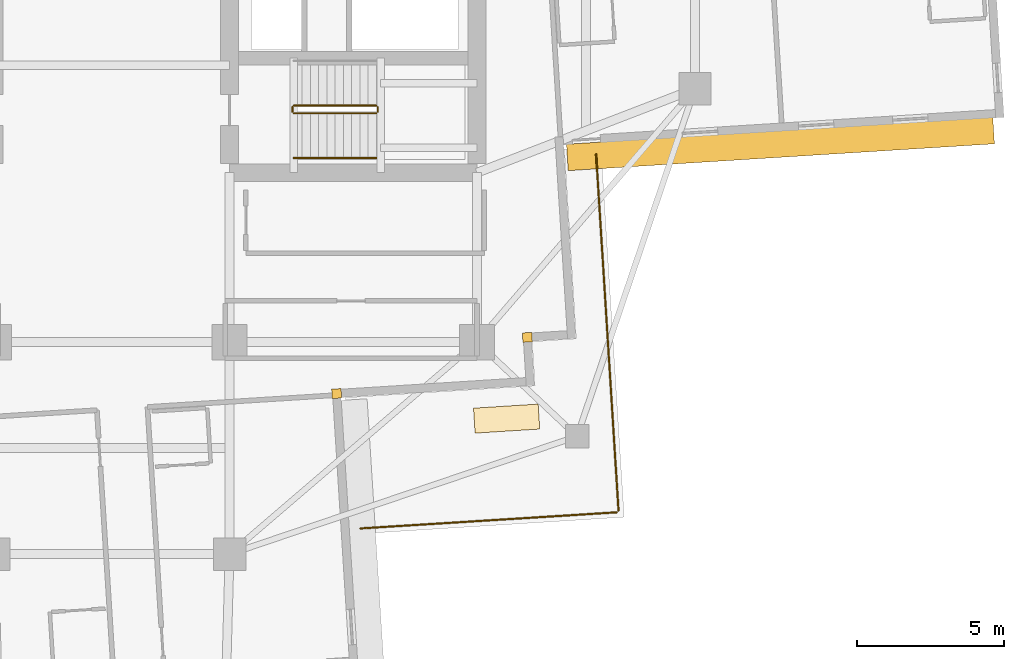
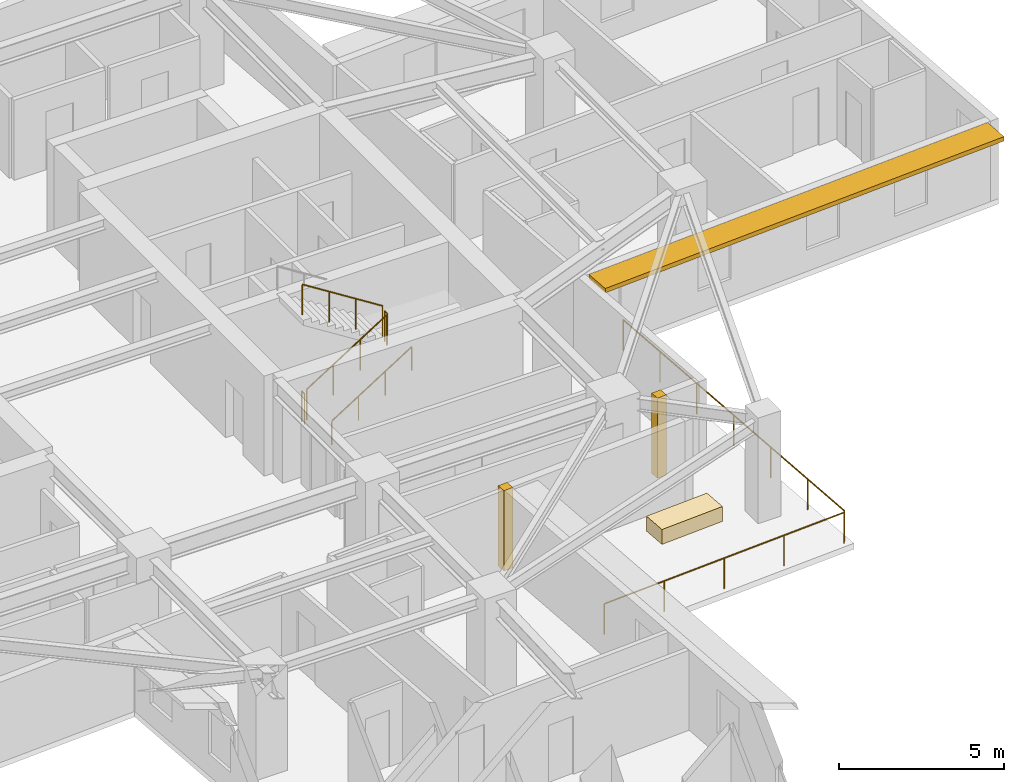
# One storey, part 12 of 14: 7 railings, 3 coverings, 1 shading device.
"""IFC4 building model written with IfcOpenShell, lengths in metres."""

from ifc_helpers import new_model, si_unit, direction, frame, origin, origin_2d, place, context, subcontext, project, spatial, rectangle, circle, extrude, material, layer, layer_set, type_object, element, save


model = new_model("IFC4")

# Units and contexts
model_context = context("Model", 3, precision=1e-05, world=origin(), true_north=direction((0.0, 1.0)))
body_context = subcontext(model_context, "Body", "Model", "MODEL_VIEW")
ifc_project = project(units=[si_unit("LENGTHUNIT", "METRE"), si_unit("AREAUNIT", "SQUARE_METRE"), si_unit("VOLUMEUNIT", "CUBIC_METRE"), si_unit("PLANEANGLEUNIT", "RADIAN"), si_unit("MASSUNIT", "GRAM", prefix="KILO")], contexts=[model_context])

# Site, building, storey
site_placement = place(None, origin())
site = spatial("IfcSite", under=ifc_project, at=site_placement, CompositionType="ELEMENT")
building_placement = place(site_placement, origin())
building = spatial("IfcBuilding", under=site, at=building_placement, Name="Qingluan Cross Belvedere", CompositionType="ELEMENT")
storey_placement = place(building_placement, frame((0.0, 0.0, 120.300048828125)))
storey = spatial("IfcBuildingStorey", under=building, at=storey_placement, Name="L30", CompositionType="ELEMENT", Elevation=120.300048828125)

# Coverings
ifc_material_1 = material(Name="Precast concrete C45", Category="concrete")
ifc_layer_1 = layer(ifc_material_1, 0.1201171875, Name="ConcreteSpandrelCladding_120")
ifc_layer_set_1 = layer_set([ifc_layer_1], Name="Precast concrete C45")
covering_type_1 = type_object("IfcCoveringType", Name="ConcreteSpandrelCladding_120", PredefinedType="CLADDING", material=ifc_layer_set_1)
for number, where, z_axis, x_axis, name in (
    (1, (14.10888671875, -12.438720703125, 0.0), (0.0, 0.0, 1.0), (0.998026728428, 0.062790519529, 0.0), "Corner closure L30-SE1"),
    (2, (7.635986328125, -14.348876953125, 0.0), (0.0, 0.0, 1.0), (0.998026728428, 0.062790519529, 0.0), "Corner closure L30-SE2"),
):
    element("IfcCovering", number, at=place(storey_placement, frame(where, z_axis=z_axis, x_axis=x_axis)), inside=storey, type_object=covering_type_1, Name=name, PredefinedType="CLADDING", context=body_context, shape_type="SweptSolid", body=[
        extrude(rectangle(XDim=0.320068359375, YDim=0.320068359375, at=origin_2d()), origin(), (0.0, 0.0, 1.0), 2.969970703125),
    ])

# Shading device
ifc_material_2 = material(Name="Precast concrete C45", Category="concrete")
ifc_layer_2 = layer(ifc_material_2, 0.159912109375, Name="ConcreteSunshadeBand_900")
ifc_layer_set_2 = layer_set([ifc_layer_2], Name="Precast concrete C45")
shading_device_type = type_object("IfcShadingDeviceType", Name="ConcreteSunshadeBand_900", PredefinedType="USERDEFINED", material=ifc_layer_set_2)
shading_device_placement = place(storey_placement, frame((22.703857421875, -5.8759765625, 2.7900390625), z_axis=(0.0, 0.0, 1.0), x_axis=(0.998026818306, 0.062789090939, 0.0)))
element("IfcShadingDevice", 3, at=shading_device_placement, inside=storey, type_object=shading_device_type, Name="Concrete SUNSHADE L30-EA", ObjectType="SUNSHADE", PredefinedType="USERDEFINED", context=body_context, shape_type="SweptSolid", body=[
    extrude(rectangle(XDim=14.5, YDim=0.89990234375, at=origin_2d()), origin(), (0.0, 0.0, 1.0), 0.159912109375),
])

# Railings
ifc_material_3 = material(Name="Brushed stainless steel tubular handrail", Category="steel")
railing_type_1 = type_object("IfcRailingType", Name="StairPitchHandrail_900", PredefinedType="HANDRAIL", material=ifc_material_3)
railing_1_placement = place(storey_placement, frame((6.179931640625, -6.35009765625, 0.17724609375)))
element("IfcRailing", 4, at=railing_1_placement, inside=storey, type_object=railing_type_1, Name="L30 ST2 stair handrail 1", PredefinedType="HANDRAIL", context=body_context, shape_type="SweptSolid", body=[
    extrude(circle(Radius=0.02392578125, at=origin_2d()), frame((0.0, 0.0, 0.8759765625), z_axis=(0.844908973607, 0.0, 0.534910110503), x_axis=(0.0, 1.0, 0.0)), (0.0, 0.0, 1.0), 3.31396484375),
    extrude(circle(Radius=0.02099609375, at=origin_2d()), origin(), (0.0, 0.0, 1.0), 0.851806640625),
    extrude(circle(Radius=0.02099609375, at=origin_2d()), frame((0.933349609375, 0.0, 0.5908203125)), (0.0, 0.0, 1.0), 0.851806640625),
    extrude(circle(Radius=0.02099609375, at=origin_2d()), frame((1.86669921875, 0.0, 1.181884765625)), (0.0, 0.0, 1.0), 0.851806640625),
    extrude(circle(Radius=0.02099609375, at=origin_2d()), frame((2.800048828125, 0.0, 1.772705078125)), (0.0, 0.0, 1.0), 0.851806640625),
])
ifc_material_4 = material(Name="Painted steel stair well guard", Category="steel")
railing_type_2 = type_object("IfcRailingType", Name="StairWellGuard_1150", PredefinedType="BALUSTRADE", material=ifc_material_4)
railing_2_placement = place(storey_placement, frame((6.179931640625, -4.830078125, 0.17724609375)))
element("IfcRailing", 5, at=railing_2_placement, inside=storey, type_object=railing_type_2, Name="L30 ST2 stair guard 1", PredefinedType="BALUSTRADE", context=body_context, shape_type="SweptSolid", body=[
    extrude(circle(Radius=0.02392578125, at=origin_2d()), frame((0.0, 0.0, 1.1259765625), z_axis=(0.844908973607, 0.0, 0.534910110503), x_axis=(0.0, 1.0, 0.0)), (0.0, 0.0, 1.0), 3.31396484375),
    extrude(circle(Radius=0.02099609375, at=origin_2d()), origin(), (0.0, 0.0, 1.0), 1.101806640625),
    extrude(circle(Radius=0.02099609375, at=origin_2d()), frame((0.933349609375, 0.0, 0.5908203125)), (0.0, 0.0, 1.0), 1.101806640625),
    extrude(circle(Radius=0.02099609375, at=origin_2d()), frame((1.86669921875, 0.0, 1.181884765625)), (0.0, 0.0, 1.0), 1.101806640625),
    extrude(circle(Radius=0.02099609375, at=origin_2d()), frame((2.800048828125, 0.0, 1.772705078125)), (0.0, 0.0, 1.0), 1.101806640625),
])
railing_3_placement = place(storey_placement, frame((9.030029296875, -4.780029296875, 1.949951171875)))
element("IfcRailing", 6, at=railing_3_placement, inside=storey, type_object=railing_type_2, Name="L30 ST2 stair guard 2", PredefinedType="BALUSTRADE", context=body_context, shape_type="SweptSolid", body=[
    extrude(circle(Radius=0.02392578125, at=origin_2d()), frame((0.0, 0.0, 1.1259765625), z_axis=(0.0, 1.0, 0.0), x_axis=(-1.0, 0.0, 0.0)), (0.0, 0.0, 1.0), 0.159912109375),
    extrude(circle(Radius=0.02099609375, at=origin_2d()), origin(), (0.0, 0.0, 1.0), 1.101806640625),
    extrude(circle(Radius=0.02099609375, at=origin_2d()), frame((0.0, 0.159912109375, 0.0)), (0.0, 0.0, 1.0), 1.101806640625),
])
railing_4_placement = place(storey_placement, frame((8.97998046875, -4.570068359375, 2.127197265625)))
element("IfcRailing", 7, at=railing_4_placement, inside=storey, type_object=railing_type_2, Name="L30 ST2 stair guard 3", PredefinedType="BALUSTRADE", context=body_context, shape_type="SweptSolid", body=[
    extrude(circle(Radius=0.02392578125, at=origin_2d()), frame((0.0, 0.0, 1.1259765625), z_axis=(-0.844908973607, 0.0, 0.534910110503), x_axis=(0.0, -1.0, 0.0)), (0.0, 0.0, 1.0), 3.31396484375),
    extrude(circle(Radius=0.02099609375, at=origin_2d()), origin(), (0.0, 0.0, 1.0), 1.101806640625),
    extrude(circle(Radius=0.02099609375, at=origin_2d()), frame((-0.933349609375, 0.0, 0.5908203125)), (0.0, 0.0, 1.0), 1.101806640625),
    extrude(circle(Radius=0.02099609375, at=origin_2d()), frame((-1.86669921875, 0.0, 1.181884765625)), (0.0, 0.0, 1.0), 1.101806640625),
    extrude(circle(Radius=0.02099609375, at=origin_2d()), frame((-2.800048828125, 0.0, 1.772705078125)), (0.0, 0.0, 1.0), 1.101806640625),
])
railing_5_placement = place(storey_placement, frame((6.1298828125, -4.780029296875, 0.0)))
element("IfcRailing", 8, at=railing_5_placement, inside=storey, type_object=railing_type_2, Name="L30 ST2 stair guard 4", PredefinedType="BALUSTRADE", context=body_context, shape_type="SweptSolid", body=[
    extrude(circle(Radius=0.02392578125, at=origin_2d()), frame((0.0, 0.0, 1.1259765625), z_axis=(0.0, 1.0, 0.0), x_axis=(-1.0, 0.0, 0.0)), (0.0, 0.0, 1.0), 0.159912109375),
    extrude(circle(Radius=0.02099609375, at=origin_2d()), origin(), (0.0, 0.0, 1.0), 1.101806640625),
    extrude(circle(Radius=0.02099609375, at=origin_2d()), frame((0.0, 0.159912109375, 0.0)), (0.0, 0.0, 1.0), 1.101806640625),
])
ifc_material_5 = material(Name="Laminated glass and stainless steel balustrade", Category="steel")
railing_type_3 = type_object("IfcRailingType", Name="TerraceGuardBalustrade_1150", PredefinedType="BALUSTRADE", material=ifc_material_5)
railing_6_placement = place(storey_placement, frame((16.443115234375, -6.2197265625, 0.0)))
element("IfcRailing", 9, at=railing_6_placement, inside=storey, type_object=railing_type_3, Name="Terrace guard L30-1", PredefinedType="BALUSTRADE", context=body_context, shape_type="SweptSolid", body=[
    extrude(circle(Radius=0.02392578125, at=origin_2d()), frame((0.0, 0.0, 1.1259765625), z_axis=(0.062787106563, -0.998026943148, 0.0), x_axis=(0.998026943148, 0.062787106563, 0.0)), (0.0, 0.0, 1.0), 12.1201171875),
    extrude(circle(Radius=0.02099609375, at=origin_2d()), origin(), (0.0, 0.0, 1.0), 1.101806640625),
    extrude(circle(Radius=0.02099609375, at=origin_2d()), frame((0.126953125, -2.01611328125, 0.0)), (0.0, 0.0, 1.0), 1.101806640625),
    extrude(circle(Radius=0.02099609375, at=origin_2d()), frame((0.253662109375, -4.031982421875, 0.0)), (0.0, 0.0, 1.0), 1.101806640625),
    extrude(circle(Radius=0.02099609375, at=origin_2d()), frame((0.38037109375, -6.048095703125, 0.0)), (0.0, 0.0, 1.0), 1.101806640625),
    extrude(circle(Radius=0.02099609375, at=origin_2d()), frame((0.50732421875, -8.064208984375, 0.0)), (0.0, 0.0, 1.0), 1.101806640625),
    extrude(circle(Radius=0.02099609375, at=origin_2d()), frame((0.63427734375, -10.080078125, 0.0)), (0.0, 0.0, 1.0), 1.101806640625),
    extrude(circle(Radius=0.02099609375, at=origin_2d()), frame((0.760986328125, -12.09619140625, 0.0)), (0.0, 0.0, 1.0), 1.101806640625),
])
railing_7_placement = place(storey_placement, frame((17.14794921875, -18.37939453125, 0.0)))
element("IfcRailing", 10, at=railing_7_placement, inside=storey, type_object=railing_type_3, Name="Terrace guard L30-2", PredefinedType="BALUSTRADE", context=body_context, shape_type="SweptSolid", body=[
    extrude(circle(Radius=0.02392578125, at=origin_2d()), frame((0.0, 0.0, 1.1259765625), z_axis=(-0.998026235633, -0.062798351797, 0.0), x_axis=(0.062798351797, -0.998026235633, 0.0)), (0.0, 0.0, 1.0), 8.719970703125),
    extrude(circle(Radius=0.02099609375, at=origin_2d()), origin(), (0.0, 0.0, 1.0), 1.101806640625),
    extrude(circle(Radius=0.02099609375, at=origin_2d()), frame((-2.17578125, -0.136962890625, 0.0)), (0.0, 0.0, 1.0), 1.101806640625),
    extrude(circle(Radius=0.02099609375, at=origin_2d()), frame((-4.3515625, -0.27392578125, 0.0)), (0.0, 0.0, 1.0), 1.101806640625),
    extrude(circle(Radius=0.02099609375, at=origin_2d()), frame((-6.527099609375, -0.41064453125, 0.0)), (0.0, 0.0, 1.0), 1.101806640625),
    extrude(circle(Radius=0.02099609375, at=origin_2d()), frame((-8.702880859375, -0.547607421875, 0.0)), (0.0, 0.0, 1.0), 1.101806640625),
])

# Covering
ifc_material_6 = material(Name="Precast concrete C40", Category="concrete")
ifc_layer_3 = layer(ifc_material_6, 0.550048828125, Name="TerracePlanterBox")
ifc_layer_set_3 = layer_set([ifc_layer_3], Name="Precast concrete C40")
covering_type_2 = type_object("IfcCoveringType", Name="TerracePlanterBox", PredefinedType="USERDEFINED", material=ifc_layer_set_3)
covering_placement = place(storey_placement, frame((13.406005859375, -15.197998046875, 0.0), z_axis=(0.0, 0.0, 1.0), x_axis=(0.998026728428, 0.062790519529, 0.0)))
element("IfcCovering", 11, at=covering_placement, inside=storey, type_object=covering_type_2, Name="Spiralling winter-garden planter L30", ObjectType="PLANTER", PredefinedType="USERDEFINED", context=body_context, shape_type="SweptSolid", body=[
    extrude(rectangle(XDim=2.199951171875, YDim=0.85009765625, at=origin_2d()), origin(), (0.0, 0.0, 1.0), 0.550048828125),
])

save(model, "model.ifc")
